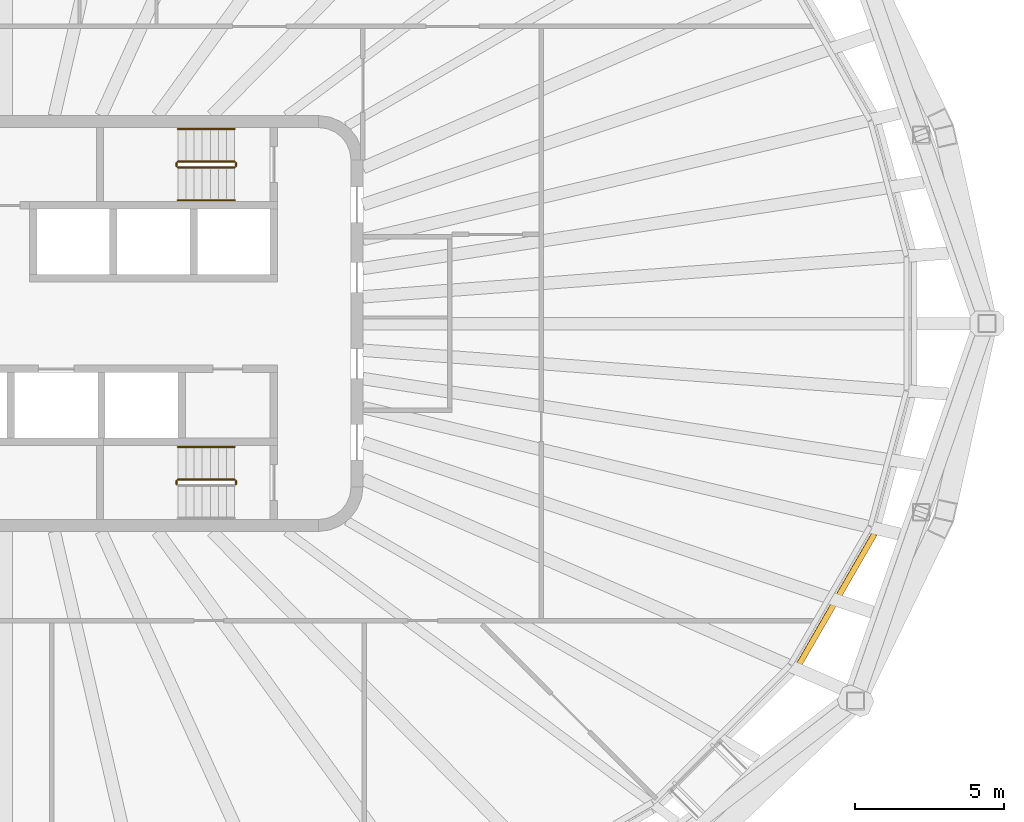
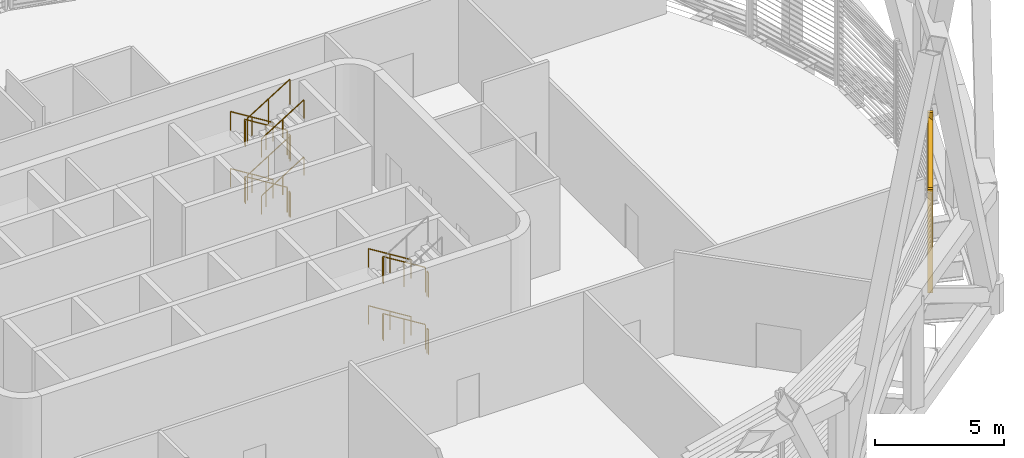
# One storey, part 14 of 17: 20 railings, 1 shading device.
"""IFC4 building model written with IfcOpenShell, lengths in metres."""

import ifcopenshell
import ifcopenshell.guid

model = None  # the IFC model being written
_history = None  # IfcOwnerHistory: only IFC2X3 demands one
_inside = {}  # id of a spatial element -> (the spatial element, [elements in it])
_under = {}  # id of a project, library or spatial element -> (it, [spatial elements below it])
_declared = {}  # id of a project -> (the project, [libraries it declares])
_typed = {}  # id of a type object -> (the type object, [elements of that type])
_made_of = {}  # id of a material, layer set ... -> (it, [elements and type objects made of it])


def new_model(schema):
    """Start an empty IFC model of exactly this schema.

    Asked for "IFC4X3", IfcOpenShell would pick the latest addendum, in which some entities
    have other attributes; the version numbers below select the first issue.
    IFC2X3 requires an IfcOwnerHistory on every rooted entity: one is made here for all.
    """
    global model, _history
    if schema == "IFC4X3":
        model = ifcopenshell.file(schema_version=(4, 3, 0, 0))
    else:
        model = ifcopenshell.file(schema=schema)
    _inside.clear()
    _under.clear()
    _declared.clear()
    _typed.clear()
    _made_of.clear()
    _history = None
    if model.schema == "IFC2X3":
        org = make("IfcOrganization", Name="unknown")
        user = make(
            "IfcPersonAndOrganization",
            ThePerson=make("IfcPerson", FamilyName="unknown"),
            TheOrganization=org,
        )
        app = make(
            "IfcApplication",
            ApplicationDeveloper=org,
            Version="unknown",
            ApplicationFullName="unknown",
            ApplicationIdentifier="unknown",
        )
        _history = make(
            "IfcOwnerHistory",
            OwningUser=user,
            OwningApplication=app,
            ChangeAction="ADDED",
            CreationDate=0,
        )
    return model


def make(cls, **values):
    """One entity of the class cls with the attributes given. An attribute that is None is left unset."""
    return model.create_entity(
        cls, **{name: value for name, value in values.items() if value is not None}
    )


def rooted(cls, **values):
    """An entity with a GlobalId (a new one), such as an element, a storey or a relation."""
    return make(cls, GlobalId=ifcopenshell.guid.new(), OwnerHistory=_history, **values)


def si_unit(unit_type, name, prefix=None):
    """IfcSIUnit, for example si_unit("LENGTHUNIT", "METRE", prefix="MILLI")."""
    return make("IfcSIUnit", UnitType=unit_type, Prefix=prefix, Name=name)


def assignment(units):
    """IfcUnitAssignment: the units of a project."""
    return None if units is None else make("IfcUnitAssignment", Units=units)


def point(xyz):
    """IfcCartesianPoint."""
    return None if xyz is None else make("IfcCartesianPoint", Coordinates=xyz)


def direction(xyz):
    """IfcDirection."""
    return None if xyz is None else make("IfcDirection", DirectionRatios=xyz)


def frame(location, z_axis=None, x_axis=None):
    """IfcAxis2Placement3D, a coordinate frame: its origin and axes. An axis left out is left unset."""
    return make(
        "IfcAxis2Placement3D",
        Location=point(location),
        Axis=direction(z_axis),
        RefDirection=direction(x_axis),
    )


def frame_2d(location, x_axis=None):
    """IfcAxis2Placement2D, a coordinate frame in the plane: its origin and x axis."""
    return make(
        "IfcAxis2Placement2D", Location=point(location), RefDirection=direction(x_axis)
    )


def origin():
    """The frame at (0, 0, 0) with its axes left unset."""
    return frame((0.0, 0.0, 0.0))


def origin_2d():
    """The frame at (0, 0) in the plane with its x axis left unset."""
    return frame_2d((0.0, 0.0))


def place(relative_to, where):
    """IfcLocalPlacement: puts the frame where relative to a parent placement (None: the world)."""
    return make(
        "IfcLocalPlacement", PlacementRelTo=relative_to, RelativePlacement=where
    )


def context(
    kind, dimensions, precision=None, world=None, true_north=None, identifier=None
):
    """IfcGeometricRepresentationContext, for example the 3D "Model" context."""
    return make(
        "IfcGeometricRepresentationContext",
        ContextIdentifier=identifier,
        ContextType=kind,
        CoordinateSpaceDimension=dimensions,
        Precision=precision,
        WorldCoordinateSystem=world,
        TrueNorth=true_north,
    )


def subcontext(parent, identifier, kind, view, scale=None):
    """IfcGeometricRepresentationSubContext, for example "Body" below "Model"."""
    return make(
        "IfcGeometricRepresentationSubContext",
        ContextIdentifier=identifier,
        ContextType=kind,
        ParentContext=parent,
        TargetScale=scale,
        TargetView=view,
    )


def project(units=None, contexts=None):
    """IfcProject with its units and contexts."""
    return rooted(
        "IfcProject",
        Name="project",
        RepresentationContexts=contexts,
        UnitsInContext=assignment(units),
    )


def spatial(cls, under=None, at=None, **own):
    """A site, building, storey or space (cls), placed at a placement, below another one or the project."""
    s = rooted(cls, ObjectPlacement=at, **own)
    if under is not None:
        _under.setdefault(under.id(), (under, []))[1].append(s)
    return s


def profile(cls, at=None, kind="AREA", **sizes):
    """A parametric profile (cls). Its sizes go by their IFC names, for example OverallWidth=200.0."""
    return make(cls, ProfileType=kind, Position=at, **sizes)


def rectangle(**sizes):
    """IfcRectangleProfileDef."""
    return profile("IfcRectangleProfileDef", **sizes)


def circle(**sizes):
    """IfcCircleProfileDef."""
    return profile("IfcCircleProfileDef", **sizes)


def extrude(swept, where, along, depth):
    """IfcExtrudedAreaSolid: the profile swept, set in the frame where, extruded along a direction by depth."""
    return make(
        "IfcExtrudedAreaSolid",
        SweptArea=swept,
        Position=where,
        ExtrudedDirection=direction(along),
        Depth=depth,
    )


def shape(context_of_items, identifier, shape_type, items):
    """IfcShapeRepresentation: the items that make up one representation, for example the "Body"."""
    return make(
        "IfcShapeRepresentation",
        ContextOfItems=context_of_items,
        RepresentationIdentifier=identifier,
        RepresentationType=shape_type,
        Items=items,
    )


def material(Name=None, Category=None):
    """IfcMaterial."""
    return make("IfcMaterial", Name=Name, Category=Category)


def made_of(thing, what):
    """Note that an element or type object is made of a material, layer set ...; save() writes the relation."""
    if what is not None:
        _made_of.setdefault(what.id(), (what, []))[1].append(thing)
    return thing


def type_object(cls, material=None, **own):
    """A type object (cls), such as IfcWallType, which elements share."""
    return made_of(rooted(cls, **own), material)


def element(
    cls,
    number,
    at=None,
    inside=None,
    cuts=None,
    type_object=None,
    material=None,
    context=None,
    identifier="Body",
    shape_type=None,
    held_by="IfcProductDefinitionShape",
    body=None,
    shapes=None,
    **own,
):
    """One element of the class cls, such as IfcWall. Its Tag is "e" and its number.

    at: its placement. inside: the storey or other place that contains it. cuts: it is an
    opening in that element (IfcRelVoidsElement). A single representation is given by context,
    identifier, shape_type and body (its items); several are given by shapes. held_by: the class
    of the entity that holds the representations. save() writes the other relations.
    """
    e = rooted(cls, Tag="e%d" % number, ObjectPlacement=at, **own)
    if body is not None:
        shapes = [shape(context, identifier, shape_type, body)]
    if shapes is not None:
        e.Representation = make(held_by, Representations=shapes)
    if inside is not None:
        _inside.setdefault(inside.id(), (inside, []))[1].append(e)
    if cuts is not None:
        rooted(
            "IfcRelVoidsElement", RelatingBuildingElement=cuts, RelatedOpeningElement=e
        )
    if type_object is not None:
        _typed.setdefault(type_object.id(), (type_object, []))[1].append(e)
    return made_of(e, material)


def aggregate(whole, parts):
    """IfcRelAggregates: a whole, such as a stair, and the parts it consists of."""
    return rooted("IfcRelAggregates", RelatingObject=whole, RelatedObjects=parts)


def save(model, path):
    """Write the relations noted so far, then the file.

    IfcRelAggregates (storeys below a building ...), IfcRelContainedInSpatialStructure (elements
    in a storey), IfcRelDefinesByType, IfcRelAssociatesMaterial and IfcRelDeclares: one each for
    every whole, place, type object, material and project.
    """
    for whole, parts in _under.values():
        aggregate(whole, parts)
    for where, things in _inside.values():
        rooted(
            "IfcRelContainedInSpatialStructure",
            RelatedElements=things,
            RelatingStructure=where,
        )
    for kind, things in _typed.values():
        rooted("IfcRelDefinesByType", RelatedObjects=things, RelatingType=kind)
    for what, things in _made_of.values():
        rooted("IfcRelAssociatesMaterial", RelatedObjects=things, RelatingMaterial=what)
    for by, libraries in _declared.values():
        rooted("IfcRelDeclares", RelatingContext=by, RelatedDefinitions=libraries)
    model.write(path)


model = new_model("IFC4")

# Units and contexts
model_context = context("Model", 3, precision=1e-05, world=origin(), true_north=direction((0.0, 1.0)))
body_context = subcontext(model_context, "Body", "Model", "MODEL_VIEW")
ifc_project = project(units=[si_unit("LENGTHUNIT", "METRE"), si_unit("AREAUNIT", "SQUARE_METRE"), si_unit("VOLUMEUNIT", "CUBIC_METRE"), si_unit("PLANEANGLEUNIT", "RADIAN"), si_unit("MASSUNIT", "GRAM", prefix="KILO")], contexts=[model_context])

# Site, building, storey
site_placement = place(None, origin())
site = spatial("IfcSite", under=ifc_project, at=site_placement, CompositionType="ELEMENT")
building_placement = place(site_placement, origin())
building = spatial("IfcBuilding", under=site, at=building_placement, Name="Sahrelin Media Tower", CompositionType="ELEMENT")
storey_placement = place(building_placement, frame((0.0, 0.0, 249.60009765625)))
storey = spatial("IfcBuildingStorey", under=building, at=storey_placement, Name="L54", CompositionType="ELEMENT", Elevation=249.60009765625)

# Shading device
ifc_material_1 = material(Name="Champagne anodised aluminium 6063-T6", Category="aluminium")
shading_device_type = type_object("IfcShadingDeviceType", Name="Sand-rejection louvre band", PredefinedType="USERDEFINED", material=ifc_material_1)
shading_device_placement = place(storey_placement, frame((27.853271484375, -9.231689453125, 0.0), z_axis=(0.0, 0.0, 1.0), x_axis=(-0.500011000363, -0.866019052629, 0.0)))
element("IfcShadingDevice", 1, at=shading_device_placement, inside=storey, type_object=shading_device_type, Name="L54:LOUVRE:L54-22", ObjectType="LOUVRE", PredefinedType="USERDEFINED", context=body_context, shape_type="SweptSolid", body=[
    extrude(rectangle(XDim=0.1201171875, YDim=0.199951171875, at=origin_2d()), frame((2.60107421875, 0.10009765625, 0.050048828125), z_axis=(0.0, 0.0, 1.0), x_axis=(1.0, 0.0, 0.0)), (0.0, 0.0, 1.0), 4.8984375),
    extrude(rectangle(XDim=0.1201171875, YDim=0.199951171875, at=origin_2d()), frame((-2.60107421875, 0.10009765625, 0.050048828125), z_axis=(0.0, 0.0, 1.0), x_axis=(1.0, 0.0, 0.0)), (0.0, 0.0, 1.0), 4.8984375),
    extrude(rectangle(XDim=0.25, YDim=0.02001953125, at=origin_2d()), frame((2.541015625, 0.10009765625, 0.14990234375), z_axis=(-1.0, 0.0, 0.0), x_axis=(0.0, -0.766044443119, 0.642787609687)), (0.0, 0.0, 1.0), 5.08203125),
    extrude(rectangle(XDim=0.25, YDim=0.02001953125, at=origin_2d()), frame((2.541015625, 0.10009765625, 0.39990234375), z_axis=(-1.0, 0.0, 0.0), x_axis=(0.0, -0.766044443119, 0.642787609687)), (0.0, 0.0, 1.0), 5.08203125),
    extrude(rectangle(XDim=0.25, YDim=0.02001953125, at=origin_2d()), frame((2.541015625, 0.10009765625, 0.64990234375), z_axis=(-1.0, 0.0, 0.0), x_axis=(0.0, -0.766044443119, 0.642787609687)), (0.0, 0.0, 1.0), 5.08203125),
    extrude(rectangle(XDim=0.25, YDim=0.02001953125, at=origin_2d()), frame((2.541015625, 0.10009765625, 0.89990234375), z_axis=(-1.0, 0.0, 0.0), x_axis=(0.0, -0.766044443119, 0.642787609687)), (0.0, 0.0, 1.0), 5.08203125),
    extrude(rectangle(XDim=0.25, YDim=0.02001953125, at=origin_2d()), frame((2.541015625, 0.10009765625, 1.14990234375), z_axis=(-1.0, 0.0, 0.0), x_axis=(0.0, -0.766044443119, 0.642787609687)), (0.0, 0.0, 1.0), 5.08203125),
    extrude(rectangle(XDim=0.25, YDim=0.02001953125, at=origin_2d()), frame((2.541015625, 0.10009765625, 1.39990234375), z_axis=(-1.0, 0.0, 0.0), x_axis=(0.0, -0.766044443119, 0.642787609687)), (0.0, 0.0, 1.0), 5.08203125),
    extrude(rectangle(XDim=0.25, YDim=0.02001953125, at=origin_2d()), frame((2.541015625, 0.10009765625, 1.64990234375), z_axis=(-1.0, 0.0, 0.0), x_axis=(0.0, -0.766044443119, 0.642787609687)), (0.0, 0.0, 1.0), 5.08203125),
    extrude(rectangle(XDim=0.25, YDim=0.02001953125, at=origin_2d()), frame((2.541015625, 0.10009765625, 1.89990234375), z_axis=(-1.0, 0.0, 0.0), x_axis=(0.0, -0.766044443119, 0.642787609687)), (0.0, 0.0, 1.0), 5.08203125),
    extrude(rectangle(XDim=0.25, YDim=0.02001953125, at=origin_2d()), frame((2.541015625, 0.10009765625, 2.14990234375), z_axis=(-1.0, 0.0, 0.0), x_axis=(0.0, -0.766044443119, 0.642787609687)), (0.0, 0.0, 1.0), 5.08203125),
    extrude(rectangle(XDim=0.25, YDim=0.02001953125, at=origin_2d()), frame((2.541015625, 0.10009765625, 2.39990234375), z_axis=(-1.0, 0.0, 0.0), x_axis=(0.0, -0.766044443119, 0.642787609687)), (0.0, 0.0, 1.0), 5.08203125),
    extrude(rectangle(XDim=0.25, YDim=0.02001953125, at=origin_2d()), frame((2.541015625, 0.10009765625, 2.64990234375), z_axis=(-1.0, 0.0, 0.0), x_axis=(0.0, -0.766044443119, 0.642787609687)), (0.0, 0.0, 1.0), 5.08203125),
    extrude(rectangle(XDim=0.25, YDim=0.02001953125, at=origin_2d()), frame((2.541015625, 0.10009765625, 2.89990234375), z_axis=(-1.0, 0.0, 0.0), x_axis=(0.0, -0.766044443119, 0.642787609687)), (0.0, 0.0, 1.0), 5.08203125),
    extrude(rectangle(XDim=0.25, YDim=0.02001953125, at=origin_2d()), frame((2.541015625, 0.10009765625, 3.14990234375), z_axis=(-1.0, 0.0, 0.0), x_axis=(0.0, -0.766044443119, 0.642787609687)), (0.0, 0.0, 1.0), 5.08203125),
    extrude(rectangle(XDim=0.25, YDim=0.02001953125, at=origin_2d()), frame((2.541015625, 0.10009765625, 3.39990234375), z_axis=(-1.0, 0.0, 0.0), x_axis=(0.0, -0.766044443119, 0.642787609687)), (0.0, 0.0, 1.0), 5.08203125),
    extrude(rectangle(XDim=0.25, YDim=0.02001953125, at=origin_2d()), frame((2.541015625, 0.10009765625, 3.64990234375), z_axis=(-1.0, 0.0, 0.0), x_axis=(0.0, -0.766044443119, 0.642787609687)), (0.0, 0.0, 1.0), 5.08203125),
    extrude(rectangle(XDim=0.25, YDim=0.02001953125, at=origin_2d()), frame((2.541015625, 0.10009765625, 3.89990234375), z_axis=(-1.0, 0.0, 0.0), x_axis=(0.0, -0.766044443119, 0.642787609687)), (0.0, 0.0, 1.0), 5.08203125),
    extrude(rectangle(XDim=0.25, YDim=0.02001953125, at=origin_2d()), frame((2.541015625, 0.10009765625, 4.14990234375), z_axis=(-1.0, 0.0, 0.0), x_axis=(0.0, -0.766044443119, 0.642787609687)), (0.0, 0.0, 1.0), 5.08203125),
    extrude(rectangle(XDim=0.25, YDim=0.02001953125, at=origin_2d()), frame((2.541015625, 0.10009765625, 4.39990234375), z_axis=(-1.0, 0.0, 0.0), x_axis=(0.0, -0.766044443119, 0.642787609687)), (0.0, 0.0, 1.0), 5.08203125),
    extrude(rectangle(XDim=0.25, YDim=0.02001953125, at=origin_2d()), frame((2.541015625, 0.10009765625, 4.64990234375), z_axis=(-1.0, 0.0, 0.0), x_axis=(0.0, -0.766044443119, 0.642787609687)), (0.0, 0.0, 1.0), 5.08203125),
])

# Railings
ifc_material_2 = material(Name="Steel S355", Category="steel")
railing_type_1 = type_object("IfcRailingType", Name="Stair guard 1200", PredefinedType="GUARDRAIL", material=ifc_material_2)
railing_1_placement = place(storey_placement, frame((7.675048828125, 5.449951171875, 0.168701171875)))
element("IfcRailing", 2, at=railing_1_placement, inside=storey, type_object=railing_type_1, Name="L54 ST3 stair guard 1", PredefinedType="GUARDRAIL", context=body_context, shape_type="SweptSolid", body=[
    extrude(circle(Radius=0.02392578125, at=origin_2d()), frame((0.0, 0.0, 1.17578125), z_axis=(-0.849289292259, 0.0, 0.527927739425), x_axis=(0.0, -1.0, 0.0)), (0.0, 0.0, 1.0), 2.2373046875),
    extrude(circle(Radius=0.02099609375, at=origin_2d()), origin(), (0.0, 0.0, 1.0), 1.15185546875),
    extrude(circle(Radius=0.02099609375, at=origin_2d()), frame((-0.9501953125, 0.0, 0.590576171875)), (0.0, 0.0, 1.0), 1.15185546875),
    extrude(circle(Radius=0.02099609375, at=origin_2d()), frame((-1.900146484375, 0.0, 1.18115234375)), (0.0, 0.0, 1.0), 1.15185546875),
])
railing_2_placement = place(storey_placement, frame((5.72509765625, 5.39990234375, 1.349853515625)))
element("IfcRailing", 3, at=railing_2_placement, inside=storey, type_object=railing_type_1, Name="L54 ST3 stair guard 2", PredefinedType="GUARDRAIL", context=body_context, shape_type="SweptSolid", body=[
    extrude(circle(Radius=0.02392578125, at=origin_2d()), frame((0.0, 0.0, 1.17578125), z_axis=(0.0, -1.0, 0.0), x_axis=(1.0, 0.0, 0.0)), (0.0, 0.0, 1.0), 0.099853515625),
    extrude(circle(Radius=0.02099609375, at=origin_2d()), origin(), (0.0, 0.0, 1.0), 1.15185546875),
    extrude(circle(Radius=0.02099609375, at=origin_2d()), frame((0.0, -0.099853515625, 0.0)), (0.0, 0.0, 1.0), 1.15185546875),
])
railing_3_placement = place(storey_placement, frame((5.77490234375, 5.25, 1.5185546875)))
element("IfcRailing", 4, at=railing_3_placement, inside=storey, type_object=railing_type_1, Name="L54 ST3 stair guard 3", PredefinedType="GUARDRAIL", context=body_context, shape_type="SweptSolid", body=[
    extrude(circle(Radius=0.02392578125, at=origin_2d()), frame((0.0, 0.0, 1.17578125), z_axis=(0.849240365539, 0.0, 0.528006440812), x_axis=(0.0, 1.0, 0.0)), (0.0, 0.0, 1.0), 2.237548828125),
    extrude(circle(Radius=0.02099609375, at=origin_2d()), origin(), (0.0, 0.0, 1.0), 1.15185546875),
    extrude(circle(Radius=0.02099609375, at=origin_2d()), frame((0.9501953125, 0.0, 0.5908203125)), (0.0, 0.0, 1.0), 1.15185546875),
    extrude(circle(Radius=0.02099609375, at=origin_2d()), frame((1.900146484375, 0.0, 1.181396484375)), (0.0, 0.0, 1.0), 1.15185546875),
])
railing_4_placement = place(storey_placement, frame((7.72509765625, 5.39990234375, 2.699951171875)))
element("IfcRailing", 5, at=railing_4_placement, inside=storey, type_object=railing_type_1, Name="L54 ST3 stair guard 4", PredefinedType="GUARDRAIL", context=body_context, shape_type="SweptSolid", body=[
    extrude(circle(Radius=0.02392578125, at=origin_2d()), frame((0.0, 0.0, 1.17578125), z_axis=(0.0, -1.0, 0.0), x_axis=(1.0, 0.0, 0.0)), (0.0, 0.0, 1.0), 0.099853515625),
    extrude(circle(Radius=0.02099609375, at=origin_2d()), origin(), (0.0, 0.0, 1.0), 1.15185546875),
    extrude(circle(Radius=0.02099609375, at=origin_2d()), frame((0.0, -0.099853515625, 0.0)), (0.0, 0.0, 1.0), 1.15185546875),
])
railing_5_placement = place(storey_placement, frame((7.675048828125, 5.449951171875, 2.86865234375)))
element("IfcRailing", 6, at=railing_5_placement, inside=storey, type_object=railing_type_1, Name="L54 ST3 stair guard 5", PredefinedType="GUARDRAIL", context=body_context, shape_type="SweptSolid", body=[
    extrude(circle(Radius=0.02392578125, at=origin_2d()), frame((0.0, 0.0, 1.17578125), z_axis=(-0.849289292259, 0.0, 0.527927739425), x_axis=(0.0, -1.0, 0.0)), (0.0, 0.0, 1.0), 2.2373046875),
    extrude(circle(Radius=0.02099609375, at=origin_2d()), origin(), (0.0, 0.0, 1.0), 1.15185546875),
    extrude(circle(Radius=0.02099609375, at=origin_2d()), frame((-0.9501953125, 0.0, 0.590576171875)), (0.0, 0.0, 1.0), 1.15185546875),
    extrude(circle(Radius=0.02099609375, at=origin_2d()), frame((-1.900146484375, 0.0, 1.18115234375)), (0.0, 0.0, 1.0), 1.15185546875),
])
railing_6_placement = place(storey_placement, frame((5.72509765625, 5.39990234375, 4.0498046875)))
element("IfcRailing", 7, at=railing_6_placement, inside=storey, type_object=railing_type_1, Name="L54 ST3 stair guard 6", PredefinedType="GUARDRAIL", context=body_context, shape_type="SweptSolid", body=[
    extrude(circle(Radius=0.02392578125, at=origin_2d()), frame((0.0, 0.0, 1.17578125), z_axis=(0.0, -1.0, 0.0), x_axis=(1.0, 0.0, 0.0)), (0.0, 0.0, 1.0), 0.099853515625),
    extrude(circle(Radius=0.02099609375, at=origin_2d()), origin(), (0.0, 0.0, 1.0), 1.15185546875),
    extrude(circle(Radius=0.02099609375, at=origin_2d()), frame((0.0, -0.099853515625, 0.0)), (0.0, 0.0, 1.0), 1.15185546875),
])
railing_7_placement = place(storey_placement, frame((5.77490234375, 5.25, 4.21875)))
element("IfcRailing", 8, at=railing_7_placement, inside=storey, type_object=railing_type_1, Name="L54 ST3 stair guard 7", PredefinedType="GUARDRAIL", context=body_context, shape_type="SweptSolid", body=[
    extrude(circle(Radius=0.02392578125, at=origin_2d()), frame((0.0, 0.0, 1.17578125), z_axis=(0.849289292259, 0.0, 0.527927739425), x_axis=(0.0, 1.0, 0.0)), (0.0, 0.0, 1.0), 2.2373046875),
    extrude(circle(Radius=0.02099609375, at=origin_2d()), origin(), (0.0, 0.0, 1.0), 1.15185546875),
    extrude(circle(Radius=0.02099609375, at=origin_2d()), frame((0.9501953125, 0.0, 0.590576171875)), (0.0, 0.0, 1.0), 1.15185546875),
    extrude(circle(Radius=0.02099609375, at=origin_2d()), frame((1.900146484375, 0.0, 1.18115234375)), (0.0, 0.0, 1.0), 1.15185546875),
])
railing_8_placement = place(storey_placement, frame((7.72509765625, 5.39990234375, 0.0)))
element("IfcRailing", 9, at=railing_8_placement, inside=storey, type_object=railing_type_1, Name="L54 ST3 stair guard 8", PredefinedType="GUARDRAIL", context=body_context, shape_type="SweptSolid", body=[
    extrude(circle(Radius=0.02392578125, at=origin_2d()), frame((0.0, 0.0, 1.17578125), z_axis=(0.0, -1.0, 0.0), x_axis=(1.0, 0.0, 0.0)), (0.0, 0.0, 1.0), 0.099853515625),
    extrude(circle(Radius=0.02099609375, at=origin_2d()), origin(), (0.0, 0.0, 1.0), 1.15185546875),
    extrude(circle(Radius=0.02099609375, at=origin_2d()), frame((0.0, -0.099853515625, 0.0)), (0.0, 0.0, 1.0), 1.15185546875),
])
railing_9_placement = place(storey_placement, frame((7.675048828125, -5.25, 0.168701171875)))
element("IfcRailing", 10, at=railing_9_placement, inside=storey, type_object=railing_type_1, Name="L54 ST2 stair guard 1", PredefinedType="GUARDRAIL", context=body_context, shape_type="SweptSolid", body=[
    extrude(circle(Radius=0.02392578125, at=origin_2d()), frame((0.0, 0.0, 1.17578125), z_axis=(-0.849289292259, 0.0, 0.527927739425), x_axis=(0.0, -1.0, 0.0)), (0.0, 0.0, 1.0), 2.2373046875),
    extrude(circle(Radius=0.02099609375, at=origin_2d()), origin(), (0.0, 0.0, 1.0), 1.15185546875),
    extrude(circle(Radius=0.02099609375, at=origin_2d()), frame((-0.9501953125, 0.0, 0.590576171875)), (0.0, 0.0, 1.0), 1.15185546875),
    extrude(circle(Radius=0.02099609375, at=origin_2d()), frame((-1.900146484375, 0.0, 1.18115234375)), (0.0, 0.0, 1.0), 1.15185546875),
])
for number, where, name in (
    (11, (5.72509765625, -5.300048828125, 1.349853515625), "L54 ST2 stair guard 2"),
    (12, (7.72509765625, -5.300048828125, 2.699951171875), "L54 ST2 stair guard 4"),
):
    element("IfcRailing", number, at=place(storey_placement, frame(where)), inside=storey, type_object=railing_type_1, Name=name, PredefinedType="GUARDRAIL", context=body_context, shape_type="SweptSolid", body=[
        extrude(circle(Radius=0.02392578125, at=origin_2d()), frame((0.0, 0.0, 1.17578125), z_axis=(0.0, -1.0, 0.0), x_axis=(1.0, 0.0, 0.0)), (0.0, 0.0, 1.0), 0.099853515625),
        extrude(circle(Radius=0.02099609375, at=origin_2d()), origin(), (0.0, 0.0, 1.0), 1.15185546875),
        extrude(circle(Radius=0.02099609375, at=origin_2d()), frame((0.0, -0.099853515625, 0.0)), (0.0, 0.0, 1.0), 1.15185546875),
    ])
railing_10_placement = place(storey_placement, frame((7.675048828125, -5.25, 2.86865234375)))
element("IfcRailing", 13, at=railing_10_placement, inside=storey, type_object=railing_type_1, Name="L54 ST2 stair guard 5", PredefinedType="GUARDRAIL", context=body_context, shape_type="SweptSolid", body=[
    extrude(circle(Radius=0.02392578125, at=origin_2d()), frame((0.0, 0.0, 1.17578125), z_axis=(-0.849289292259, 0.0, 0.527927739425), x_axis=(0.0, -1.0, 0.0)), (0.0, 0.0, 1.0), 2.2373046875),
    extrude(circle(Radius=0.02099609375, at=origin_2d()), origin(), (0.0, 0.0, 1.0), 1.15185546875),
    extrude(circle(Radius=0.02099609375, at=origin_2d()), frame((-0.9501953125, 0.0, 0.590576171875)), (0.0, 0.0, 1.0), 1.15185546875),
    extrude(circle(Radius=0.02099609375, at=origin_2d()), frame((-1.900146484375, 0.0, 1.18115234375)), (0.0, 0.0, 1.0), 1.15185546875),
])
for number, where, name in (
    (14, (5.72509765625, -5.300048828125, 4.0498046875), "L54 ST2 stair guard 6"),
    (15, (7.72509765625, -5.300048828125, 0.0), "L54 ST2 stair guard 8"),
):
    element("IfcRailing", number, at=place(storey_placement, frame(where)), inside=storey, type_object=railing_type_1, Name=name, PredefinedType="GUARDRAIL", context=body_context, shape_type="SweptSolid", body=[
        extrude(circle(Radius=0.02392578125, at=origin_2d()), frame((0.0, 0.0, 1.17578125), z_axis=(0.0, -1.0, 0.0), x_axis=(1.0, 0.0, 0.0)), (0.0, 0.0, 1.0), 0.099853515625),
        extrude(circle(Radius=0.02099609375, at=origin_2d()), origin(), (0.0, 0.0, 1.0), 1.15185546875),
        extrude(circle(Radius=0.02099609375, at=origin_2d()), frame((0.0, -0.099853515625, 0.0)), (0.0, 0.0, 1.0), 1.15185546875),
    ])
railing_type_2 = type_object("IfcRailingType", Name="Stair handrail 900", PredefinedType="HANDRAIL", material=ifc_material_2)
railing_11_placement = place(storey_placement, frame((7.675048828125, 6.550048828125, 0.168701171875)))
element("IfcRailing", 16, at=railing_11_placement, inside=storey, type_object=railing_type_2, Name="L54 ST3 stair handrail 1", PredefinedType="HANDRAIL", context=body_context, shape_type="SweptSolid", body=[
    extrude(circle(Radius=0.02392578125, at=origin_2d()), frame((0.0, 0.0, 0.8759765625), z_axis=(-0.849289292259, 0.0, 0.527927739425), x_axis=(0.0, -1.0, 0.0)), (0.0, 0.0, 1.0), 2.2373046875),
    extrude(circle(Radius=0.02099609375, at=origin_2d()), origin(), (0.0, 0.0, 1.0), 0.851806640625),
    extrude(circle(Radius=0.02099609375, at=origin_2d()), frame((-0.9501953125, 0.0, 0.590576171875)), (0.0, 0.0, 1.0), 0.851806640625),
    extrude(circle(Radius=0.02099609375, at=origin_2d()), frame((-1.900146484375, 0.0, 1.18115234375)), (0.0, 0.0, 1.0), 0.851806640625),
])
railing_12_placement = place(storey_placement, frame((5.77490234375, 4.14990234375, 1.5185546875)))
element("IfcRailing", 17, at=railing_12_placement, inside=storey, type_object=railing_type_2, Name="L54 ST3 stair handrail 2", PredefinedType="HANDRAIL", context=body_context, shape_type="SweptSolid", body=[
    extrude(circle(Radius=0.02392578125, at=origin_2d()), frame((0.0, 0.0, 0.8759765625), z_axis=(0.849240365539, 0.0, 0.528006440812), x_axis=(0.0, 1.0, 0.0)), (0.0, 0.0, 1.0), 2.237548828125),
    extrude(circle(Radius=0.02099609375, at=origin_2d()), origin(), (0.0, 0.0, 1.0), 0.851806640625),
    extrude(circle(Radius=0.02099609375, at=origin_2d()), frame((0.9501953125, 0.0, 0.5908203125)), (0.0, 0.0, 1.0), 0.851806640625),
    extrude(circle(Radius=0.02099609375, at=origin_2d()), frame((1.900146484375, 0.0, 1.181396484375)), (0.0, 0.0, 1.0), 0.851806640625),
])
railing_13_placement = place(storey_placement, frame((7.675048828125, 6.550048828125, 2.86865234375)))
element("IfcRailing", 18, at=railing_13_placement, inside=storey, type_object=railing_type_2, Name="L54 ST3 stair handrail 3", PredefinedType="HANDRAIL", context=body_context, shape_type="SweptSolid", body=[
    extrude(circle(Radius=0.02392578125, at=origin_2d()), frame((0.0, 0.0, 0.8759765625), z_axis=(-0.849289292259, 0.0, 0.527927739425), x_axis=(0.0, -1.0, 0.0)), (0.0, 0.0, 1.0), 2.2373046875),
    extrude(circle(Radius=0.02099609375, at=origin_2d()), origin(), (0.0, 0.0, 1.0), 0.851806640625),
    extrude(circle(Radius=0.02099609375, at=origin_2d()), frame((-0.9501953125, 0.0, 0.590576171875)), (0.0, 0.0, 1.0), 0.851806640625),
    extrude(circle(Radius=0.02099609375, at=origin_2d()), frame((-1.900146484375, 0.0, 1.18115234375)), (0.0, 0.0, 1.0), 0.851806640625),
])
railing_14_placement = place(storey_placement, frame((5.77490234375, 4.14990234375, 4.21875)))
element("IfcRailing", 19, at=railing_14_placement, inside=storey, type_object=railing_type_2, Name="L54 ST3 stair handrail 4", PredefinedType="HANDRAIL", context=body_context, shape_type="SweptSolid", body=[
    extrude(circle(Radius=0.02392578125, at=origin_2d()), frame((0.0, 0.0, 0.8759765625), z_axis=(0.849289292259, 0.0, 0.527927739425), x_axis=(0.0, 1.0, 0.0)), (0.0, 0.0, 1.0), 2.2373046875),
    extrude(circle(Radius=0.02099609375, at=origin_2d()), origin(), (0.0, 0.0, 1.0), 0.851806640625),
    extrude(circle(Radius=0.02099609375, at=origin_2d()), frame((0.9501953125, 0.0, 0.590576171875)), (0.0, 0.0, 1.0), 0.851806640625),
    extrude(circle(Radius=0.02099609375, at=origin_2d()), frame((1.900146484375, 0.0, 1.18115234375)), (0.0, 0.0, 1.0), 0.851806640625),
])
for number, where, name in (
    (20, (7.675048828125, -4.14990234375, 0.168701171875), "L54 ST2 stair handrail 1"),
    (21, (7.675048828125, -4.14990234375, 2.86865234375), "L54 ST2 stair handrail 3"),
):
    element("IfcRailing", number, at=place(storey_placement, frame(where)), inside=storey, type_object=railing_type_2, Name=name, PredefinedType="HANDRAIL", context=body_context, shape_type="SweptSolid", body=[
        extrude(circle(Radius=0.02392578125, at=origin_2d()), frame((0.0, 0.0, 0.8759765625), z_axis=(-0.849289292259, 0.0, 0.527927739425), x_axis=(0.0, -1.0, 0.0)), (0.0, 0.0, 1.0), 2.2373046875),
        extrude(circle(Radius=0.02099609375, at=origin_2d()), origin(), (0.0, 0.0, 1.0), 0.851806640625),
        extrude(circle(Radius=0.02099609375, at=origin_2d()), frame((-0.9501953125, 0.0, 0.590576171875)), (0.0, 0.0, 1.0), 0.851806640625),
        extrude(circle(Radius=0.02099609375, at=origin_2d()), frame((-1.900146484375, 0.0, 1.18115234375)), (0.0, 0.0, 1.0), 0.851806640625),
    ])

save(model, "model.ifc")
